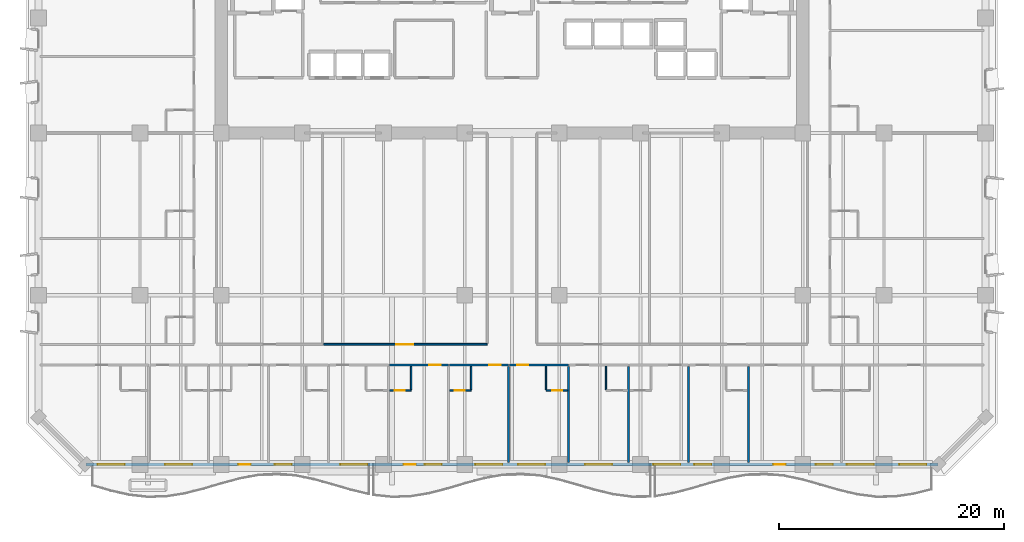
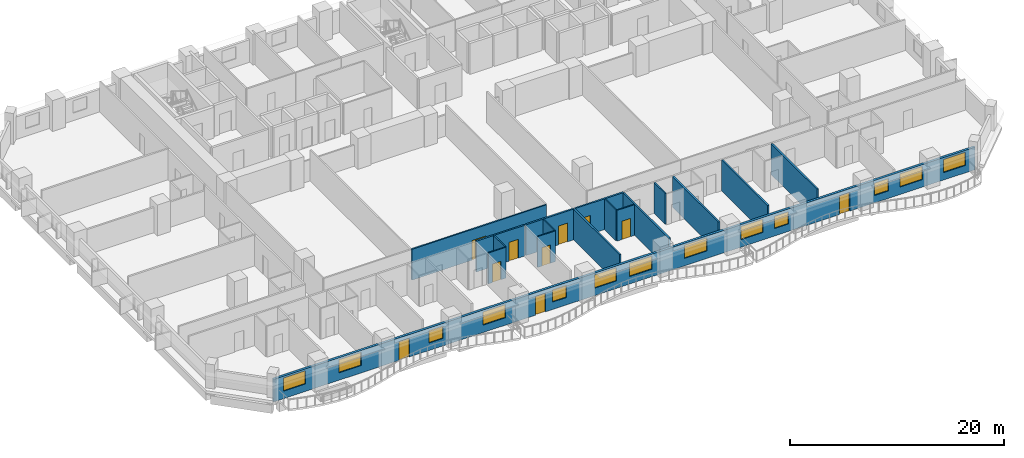
# One storey, part 6 of 16: 17 walls, 13 windows, 10 doors, 23 openings.
"""IFC4 building model written with IfcOpenShell, lengths in metres."""

from ifc_helpers import new_model, si_unit, direction, frame, frame_2d, origin, place, context, subcontext, project, spatial, rectangle, extrude, material, layer, layer_set, type_object, element, fill, save


model = new_model("IFC4")

# Units and contexts
model_context = context("Model", 3, precision=1e-05, world=origin(), true_north=direction((0.0, 1.0)))
body_context = subcontext(model_context, "Body", "Model", "MODEL_VIEW")
ifc_project = project(units=[si_unit("LENGTHUNIT", "METRE"), si_unit("AREAUNIT", "SQUARE_METRE"), si_unit("VOLUMEUNIT", "CUBIC_METRE"), si_unit("PLANEANGLEUNIT", "RADIAN"), si_unit("MASSUNIT", "GRAM", prefix="KILO")], contexts=[model_context])

# Site, building, storey
site_placement = place(None, origin())
site = spatial("IfcSite", under=ifc_project, at=site_placement, CompositionType="ELEMENT")
building_placement = place(site_placement, origin())
building = spatial("IfcBuilding", under=site, at=building_placement, Name="Kaelvorn Grand Hotel", CompositionType="ELEMENT")
storey_placement = place(building_placement, frame((0.0, 0.0, 35.14990234375)))
storey = spatial("IfcBuildingStorey", under=building, at=storey_placement, Name="L06", CompositionType="ELEMENT", Elevation=35.14990234375)

# Wall, openings, doors, windows
ifc_material_1 = material(Name="Concrete C40/50", Category="concrete")
ifc_layer_1 = layer(ifc_material_1, 0.260009765625)
ifc_layer_set_1 = layer_set([ifc_layer_1], Name="Concrete C40/50")
wall_type_1 = type_object("IfcWallType", Name="WL-EXT-260-C40", PredefinedType="SOLIDWALL", material=ifc_layer_set_1)
wall_1_placement = place(storey_placement, frame((4.199951171875, 0.0, 0.0), z_axis=(0.0, 0.0, 1.0), x_axis=(1.0, 0.0, 0.0)))
wall_1 = element("IfcWall", 1, at=wall_1_placement, inside=storey, type_object=wall_type_1, Name="L06 Exterior Architectural Concrete Wall 01", PredefinedType="SOLIDWALL", context=body_context, shape_type="SweptSolid", body=[
    extrude(rectangle(XDim=75.60009765625, YDim=0.260009765625, at=frame_2d((37.800048828125, 0.0))), origin(), (0.0, 0.0, 1.0), 2.56005859375),
])
opening_1_placement = place(wall_1_placement, frame((13.5166015625, 0.0, 0.0)))
opening_1 = element("IfcOpeningElement", 2, at=opening_1_placement, cuts=wall_1, Name="Opening DE2", PredefinedType="OPENING", context=body_context, shape_type="SweptSolid", body=[
    extrude(rectangle(XDim=1.10009765625, YDim=2.14990234375, at=frame_2d((0.550048828125, 1.074951171875))), frame((0.0, 0.14013671875, 0.0), z_axis=(0.0, -1.0, 0.0), x_axis=(1.0, 0.0, 0.0)), (0.0, 0.0, 1.0), 0.280029296875),
])
opening_2_placement = place(wall_1_placement, frame((28.183349609375, 0.0, 0.0)))
opening_2 = element("IfcOpeningElement", 3, at=opening_2_placement, cuts=wall_1, Name="Opening DE2", PredefinedType="OPENING", context=body_context, shape_type="SweptSolid", body=[
    extrude(rectangle(XDim=1.10009765625, YDim=2.14990234375, at=frame_2d((0.550048828125, 1.074951171875))), frame((0.0, 0.14013671875, 0.0), z_axis=(0.0, -1.0, 0.0), x_axis=(1.0, 0.0, 0.0)), (0.0, 0.0, 1.0), 0.280029296875),
])
opening_3_placement = place(wall_1_placement, frame((60.9833984375, 0.0, 0.0)))
opening_3 = element("IfcOpeningElement", 4, at=opening_3_placement, cuts=wall_1, Name="Opening DE2", PredefinedType="OPENING", context=body_context, shape_type="SweptSolid", body=[
    extrude(rectangle(XDim=1.10009765625, YDim=2.14990234375, at=frame_2d((0.550048828125, 1.074951171875))), frame((0.0, 0.14013671875, 0.0), z_axis=(0.0, -1.0, 0.0), x_axis=(1.0, 0.0, 0.0)), (0.0, 0.0, 1.0), 0.280029296875),
])
opening_4_placement = place(wall_1_placement, frame((1.034912109375, 0.0, 0.85009765625)))
opening_4 = element("IfcOpeningElement", 5, at=opening_4_placement, cuts=wall_1, Name="Opening W6", PredefinedType="OPENING", context=body_context, shape_type="SweptSolid", body=[
    extrude(rectangle(XDim=2.39990234375, YDim=1.5, at=frame_2d((1.199951171875, 0.75))), frame((0.0, 0.14013671875, 0.0), z_axis=(0.0, -1.0, 0.0), x_axis=(1.0, 0.0, 0.0)), (0.0, 0.0, 1.0), 0.280029296875),
])
opening_5_placement = place(wall_1_placement, frame((7.031494140625, 0.0, 0.85009765625)))
opening_5 = element("IfcOpeningElement", 6, at=opening_5_placement, cuts=wall_1, Name="Opening W6", PredefinedType="OPENING", context=body_context, shape_type="SweptSolid", body=[
    extrude(rectangle(XDim=2.39990234375, YDim=1.5, at=frame_2d((1.199951171875, 0.75))), frame((0.0, 0.14013671875, 0.0), z_axis=(0.0, -1.0, 0.0), x_axis=(1.0, 0.0, 0.0)), (0.0, 0.0, 1.0), 0.280029296875),
])
opening_6_placement = place(wall_1_placement, frame((16.757080078125, 0.0, 0.85009765625)))
opening_6 = element("IfcOpeningElement", 7, at=opening_6_placement, cuts=wall_1, Name="Opening W10", PredefinedType="OPENING", context=body_context, shape_type="SweptSolid", body=[
    extrude(rectangle(XDim=1.5, YDim=1.39990234375, at=frame_2d((0.75, 0.699951171875))), frame((0.0, 0.14013671875, 0.0), z_axis=(0.0, -1.0, 0.0), x_axis=(1.0, 0.0, 0.0)), (0.0, 0.0, 1.0), 0.280029296875),
])
opening_7_placement = place(wall_1_placement, frame((22.5673828125, 0.0, 0.85009765625)))
opening_7 = element("IfcOpeningElement", 8, at=opening_7_placement, cuts=wall_1, Name="Opening W6", PredefinedType="OPENING", context=body_context, shape_type="SweptSolid", body=[
    extrude(rectangle(XDim=2.39990234375, YDim=1.5, at=frame_2d((1.199951171875, 0.75))), frame((0.0, 0.14013671875, 0.0), z_axis=(0.0, -1.0, 0.0), x_axis=(1.0, 0.0, 0.0)), (0.0, 0.0, 1.0), 0.280029296875),
])
opening_8_placement = place(wall_1_placement, frame((30.065185546875, 0.0, 0.85009765625)))
opening_8 = element("IfcOpeningElement", 9, at=opening_8_placement, cuts=wall_1, Name="Opening W10", PredefinedType="OPENING", context=body_context, shape_type="SweptSolid", body=[
    extrude(rectangle(XDim=1.5, YDim=1.39990234375, at=frame_2d((0.75, 0.699951171875))), frame((0.0, 0.14013671875, 0.0), z_axis=(0.0, -1.0, 0.0), x_axis=(1.0, 0.0, 0.0)), (0.0, 0.0, 1.0), 0.280029296875),
])
opening_9_placement = place(wall_1_placement, frame((34.549560546875, 0.0, 0.85009765625)))
opening_9 = element("IfcOpeningElement", 10, at=opening_9_placement, cuts=wall_1, Name="Opening W6", PredefinedType="OPENING", context=body_context, shape_type="SweptSolid", body=[
    extrude(rectangle(XDim=2.39990234375, YDim=1.5, at=frame_2d((1.199951171875, 0.75))), frame((0.0, 0.14013671875, 0.0), z_axis=(0.0, -1.0, 0.0), x_axis=(1.0, 0.0, 0.0)), (0.0, 0.0, 1.0), 0.280029296875),
])
opening_10_placement = place(wall_1_placement, frame((38.349609375, 0.0, 0.85009765625)))
opening_10 = element("IfcOpeningElement", 11, at=opening_10_placement, cuts=wall_1, Name="Opening W6", PredefinedType="OPENING", context=body_context, shape_type="SweptSolid", body=[
    extrude(rectangle(XDim=2.39990234375, YDim=1.5, at=frame_2d((1.199951171875, 0.75))), frame((0.0, 0.14013671875, 0.0), z_axis=(0.0, -1.0, 0.0), x_axis=(1.0, 0.0, 0.0)), (0.0, 0.0, 1.0), 0.280029296875),
])
opening_11_placement = place(wall_1_placement, frame((44.280517578125, 0.0, 0.85009765625)))
opening_11 = element("IfcOpeningElement", 12, at=opening_11_placement, cuts=wall_1, Name="Opening W6", PredefinedType="OPENING", context=body_context, shape_type="SweptSolid", body=[
    extrude(rectangle(XDim=2.39990234375, YDim=1.5, at=frame_2d((1.199951171875, 0.75))), frame((0.0, 0.14013671875, 0.0), z_axis=(0.0, -1.0, 0.0), x_axis=(1.0, 0.0, 0.0)), (0.0, 0.0, 1.0), 0.280029296875),
])
opening_12_placement = place(wall_1_placement, frame((50.33154296875, 0.0, 0.85009765625)))
opening_12 = element("IfcOpeningElement", 13, at=opening_12_placement, cuts=wall_1, Name="Opening W6", PredefinedType="OPENING", context=body_context, shape_type="SweptSolid", body=[
    extrude(rectangle(XDim=2.39990234375, YDim=1.5, at=frame_2d((1.199951171875, 0.75))), frame((0.0, 0.14013671875, 0.0), z_axis=(0.0, -1.0, 0.0), x_axis=(1.0, 0.0, 0.0)), (0.0, 0.0, 1.0), 0.280029296875),
])
opening_13_placement = place(wall_1_placement, frame((53.9814453125, 0.0, 0.85009765625)))
opening_13 = element("IfcOpeningElement", 14, at=opening_13_placement, cuts=wall_1, Name="Opening W10", PredefinedType="OPENING", context=body_context, shape_type="SweptSolid", body=[
    extrude(rectangle(XDim=1.5, YDim=1.39990234375, at=frame_2d((0.75, 0.699951171875))), frame((0.0, 0.14013671875, 0.0), z_axis=(0.0, -1.0, 0.0), x_axis=(1.0, 0.0, 0.0)), (0.0, 0.0, 1.0), 0.280029296875),
])
opening_14_placement = place(wall_1_placement, frame((64.758544921875, 0.0, 0.85009765625)))
opening_14 = element("IfcOpeningElement", 15, at=opening_14_placement, cuts=wall_1, Name="Opening W10", PredefinedType="OPENING", context=body_context, shape_type="SweptSolid", body=[
    extrude(rectangle(XDim=1.5, YDim=1.39990234375, at=frame_2d((0.75, 0.699951171875))), frame((0.0, 0.14013671875, 0.0), z_axis=(0.0, -1.0, 0.0), x_axis=(1.0, 0.0, 0.0)), (0.0, 0.0, 1.0), 0.280029296875),
])
opening_15_placement = place(wall_1_placement, frame((67.508544921875, 0.0, 0.85009765625)))
opening_15 = element("IfcOpeningElement", 16, at=opening_15_placement, cuts=wall_1, Name="Opening W6", PredefinedType="OPENING", context=body_context, shape_type="SweptSolid", body=[
    extrude(rectangle(XDim=2.39990234375, YDim=1.5, at=frame_2d((1.199951171875, 0.75))), frame((0.0, 0.14013671875, 0.0), z_axis=(0.0, -1.0, 0.0), x_axis=(1.0, 0.0, 0.0)), (0.0, 0.0, 1.0), 0.280029296875),
])
opening_16_placement = place(wall_1_placement, frame((72.1650390625, 0.0, 0.85009765625)))
opening_16 = element("IfcOpeningElement", 17, at=opening_16_placement, cuts=wall_1, Name="Opening W6", PredefinedType="OPENING", context=body_context, shape_type="SweptSolid", body=[
    extrude(rectangle(XDim=2.39990234375, YDim=1.5, at=frame_2d((1.199951171875, 0.75))), frame((0.0, 0.14013671875, 0.0), z_axis=(0.0, -1.0, 0.0), x_axis=(1.0, 0.0, 0.0)), (0.0, 0.0, 1.0), 0.280029296875),
])
ifc_material_2 = material(Name="Anodised Aluminium", Category="aluminium")
door_type_1 = type_object("IfcDoorType", Name="DR-EXT-BALC-1100x2150", OperationType="NOTDEFINED", PredefinedType="DOOR", material=ifc_material_2)
door_1_placement = place(opening_1_placement, origin())
door_1 = element("IfcDoor", 18, at=door_1_placement, inside=storey, type_object=door_type_1, Name="L06 Scalloped Balcony Glazed Door DE2-1", OperationType="SINGLE_SWING_LEFT", OverallHeight=2.14990234375, OverallWidth=1.10009765625, PredefinedType="DOOR", context=body_context, shape_type="SweptSolid", body=[
    extrude(rectangle(XDim=1.10009765625, YDim=2.14990234375, at=frame_2d((0.550048828125, 1.074951171875))), frame((0.0, 0.02490234375, 0.0), z_axis=(0.0, -1.0, 0.0), x_axis=(1.0, 0.0, 0.0)), (0.0, 0.0, 1.0), 0.050048828125),
])
fill(opening_1, door_1)
door_2_placement = place(opening_2_placement, origin())
door_2 = element("IfcDoor", 19, at=door_2_placement, inside=storey, type_object=door_type_1, Name="L06 Scalloped Balcony Glazed Door DE2-2", OperationType="SINGLE_SWING_RIGHT", OverallHeight=2.14990234375, OverallWidth=1.10009765625, PredefinedType="DOOR", context=body_context, shape_type="SweptSolid", body=[
    extrude(rectangle(XDim=1.10009765625, YDim=2.14990234375, at=frame_2d((0.550048828125, 1.074951171875))), frame((0.0, 0.02490234375, 0.0), z_axis=(0.0, -1.0, 0.0), x_axis=(1.0, 0.0, 0.0)), (0.0, 0.0, 1.0), 0.050048828125),
])
fill(opening_2, door_2)
door_3_placement = place(opening_3_placement, origin())
door_3 = element("IfcDoor", 20, at=door_3_placement, inside=storey, type_object=door_type_1, Name="L06 Scalloped Balcony Glazed Door DE2-3", OperationType="SINGLE_SWING_LEFT", OverallHeight=2.14990234375, OverallWidth=1.10009765625, PredefinedType="DOOR", context=body_context, shape_type="SweptSolid", body=[
    extrude(rectangle(XDim=1.10009765625, YDim=2.14990234375, at=frame_2d((0.550048828125, 1.074951171875))), frame((0.0, 0.02490234375, 0.0), z_axis=(0.0, -1.0, 0.0), x_axis=(1.0, 0.0, 0.0)), (0.0, 0.0, 1.0), 0.050048828125),
])
fill(opening_3, door_3)
ifc_material_3 = material(Name="Laminated Low-E Glass", Category="glass")
window_type_1 = type_object("IfcWindowType", Name="WIN-COR-1500x1400", PartitioningType="SINGLE_PANEL", PredefinedType="WINDOW", material=ifc_material_3)
window_1_placement = place(opening_6_placement, origin())
window_1 = element("IfcWindow", 21, at=window_1_placement, inside=storey, type_object=window_type_1, Name="L06 South Guestroom Ribbon Window SR03", OverallHeight=1.39990234375, OverallWidth=1.5, PartitioningType="SINGLE_PANEL", PredefinedType="WINDOW", context=body_context, shape_type="SweptSolid", body=[
    extrude(rectangle(XDim=1.5, YDim=1.39990234375, at=frame_2d((0.75, 0.699951171875))), frame((0.0, 0.030029296875, 0.0), z_axis=(0.0, -1.0, 0.0), x_axis=(1.0, 0.0, 0.0)), (0.0, 0.0, 1.0), 0.06005859375),
])
fill(opening_6, window_1)
window_2_placement = place(opening_8_placement, origin())
window_2 = element("IfcWindow", 22, at=window_2_placement, inside=storey, type_object=window_type_1, Name="L06 South Guestroom Ribbon Window SR05", OverallHeight=1.39990234375, OverallWidth=1.5, PartitioningType="SINGLE_PANEL", PredefinedType="WINDOW", context=body_context, shape_type="SweptSolid", body=[
    extrude(rectangle(XDim=1.5, YDim=1.39990234375, at=frame_2d((0.75, 0.699951171875))), frame((0.0, 0.030029296875, 0.0), z_axis=(0.0, -1.0, 0.0), x_axis=(1.0, 0.0, 0.0)), (0.0, 0.0, 1.0), 0.06005859375),
])
fill(opening_8, window_2)
window_3_placement = place(opening_13_placement, origin())
window_3 = element("IfcWindow", 23, at=window_3_placement, inside=storey, type_object=window_type_1, Name="L06 South Guestroom Ribbon Window SR10", OverallHeight=1.39990234375, OverallWidth=1.5, PartitioningType="SINGLE_PANEL", PredefinedType="WINDOW", context=body_context, shape_type="SweptSolid", body=[
    extrude(rectangle(XDim=1.5, YDim=1.39990234375, at=frame_2d((0.75, 0.699951171875))), frame((0.0, 0.030029296875, 0.0), z_axis=(0.0, -1.0, 0.0), x_axis=(1.0, 0.0, 0.0)), (0.0, 0.0, 1.0), 0.06005859375),
])
fill(opening_13, window_3)
window_4_placement = place(opening_14_placement, origin())
window_4 = element("IfcWindow", 24, at=window_4_placement, inside=storey, type_object=window_type_1, Name="L06 South Guestroom Ribbon Window SR11", OverallHeight=1.39990234375, OverallWidth=1.5, PartitioningType="SINGLE_PANEL", PredefinedType="WINDOW", context=body_context, shape_type="SweptSolid", body=[
    extrude(rectangle(XDim=1.5, YDim=1.39990234375, at=frame_2d((0.75, 0.699951171875))), frame((0.0, 0.030029296875, 0.0), z_axis=(0.0, -1.0, 0.0), x_axis=(1.0, 0.0, 0.0)), (0.0, 0.0, 1.0), 0.06005859375),
])
fill(opening_14, window_4)
window_type_2 = type_object("IfcWindowType", Name="WIN-NTH-2400x1500", PartitioningType="SINGLE_PANEL", PredefinedType="WINDOW", material=ifc_material_3)
window_5_placement = place(opening_4_placement, origin())
window_5 = element("IfcWindow", 25, at=window_5_placement, inside=storey, type_object=window_type_2, Name="L06 South Guestroom Ribbon Window SR01", OverallHeight=1.5, OverallWidth=2.39990234375, PartitioningType="SINGLE_PANEL", PredefinedType="WINDOW", context=body_context, shape_type="SweptSolid", body=[
    extrude(rectangle(XDim=2.39990234375, YDim=1.5, at=frame_2d((1.199951171875, 0.75))), frame((0.0, 0.030029296875, 0.0), z_axis=(0.0, -1.0, 0.0), x_axis=(1.0, 0.0, 0.0)), (0.0, 0.0, 1.0), 0.06005859375),
])
fill(opening_4, window_5)
window_6_placement = place(opening_5_placement, origin())
window_6 = element("IfcWindow", 26, at=window_6_placement, inside=storey, type_object=window_type_2, Name="L06 South Guestroom Ribbon Window SR02", OverallHeight=1.5, OverallWidth=2.39990234375, PartitioningType="SINGLE_PANEL", PredefinedType="WINDOW", context=body_context, shape_type="SweptSolid", body=[
    extrude(rectangle(XDim=2.39990234375, YDim=1.5, at=frame_2d((1.199951171875, 0.75))), frame((0.0, 0.030029296875, 0.0), z_axis=(0.0, -1.0, 0.0), x_axis=(1.0, 0.0, 0.0)), (0.0, 0.0, 1.0), 0.06005859375),
])
fill(opening_5, window_6)
window_7_placement = place(opening_7_placement, origin())
window_7 = element("IfcWindow", 27, at=window_7_placement, inside=storey, type_object=window_type_2, Name="L06 South Guestroom Ribbon Window SR04", OverallHeight=1.5, OverallWidth=2.39990234375, PartitioningType="SINGLE_PANEL", PredefinedType="WINDOW", context=body_context, shape_type="SweptSolid", body=[
    extrude(rectangle(XDim=2.39990234375, YDim=1.5, at=frame_2d((1.199951171875, 0.75))), frame((0.0, 0.030029296875, 0.0), z_axis=(0.0, -1.0, 0.0), x_axis=(1.0, 0.0, 0.0)), (0.0, 0.0, 1.0), 0.06005859375),
])
fill(opening_7, window_7)
window_8_placement = place(opening_9_placement, origin())
window_8 = element("IfcWindow", 28, at=window_8_placement, inside=storey, type_object=window_type_2, Name="L06 South Guestroom Ribbon Window SR06", OverallHeight=1.5, OverallWidth=2.39990234375, PartitioningType="SINGLE_PANEL", PredefinedType="WINDOW", context=body_context, shape_type="SweptSolid", body=[
    extrude(rectangle(XDim=2.39990234375, YDim=1.5, at=frame_2d((1.199951171875, 0.75))), frame((0.0, 0.030029296875, 0.0), z_axis=(0.0, -1.0, 0.0), x_axis=(1.0, 0.0, 0.0)), (0.0, 0.0, 1.0), 0.06005859375),
])
fill(opening_9, window_8)
window_9_placement = place(opening_10_placement, origin())
window_9 = element("IfcWindow", 29, at=window_9_placement, inside=storey, type_object=window_type_2, Name="L06 South Guestroom Ribbon Window SR07", OverallHeight=1.5, OverallWidth=2.39990234375, PartitioningType="SINGLE_PANEL", PredefinedType="WINDOW", context=body_context, shape_type="SweptSolid", body=[
    extrude(rectangle(XDim=2.39990234375, YDim=1.5, at=frame_2d((1.199951171875, 0.75))), frame((0.0, 0.030029296875, 0.0), z_axis=(0.0, -1.0, 0.0), x_axis=(1.0, 0.0, 0.0)), (0.0, 0.0, 1.0), 0.06005859375),
])
fill(opening_10, window_9)
window_10_placement = place(opening_11_placement, origin())
window_10 = element("IfcWindow", 30, at=window_10_placement, inside=storey, type_object=window_type_2, Name="L06 South Guestroom Ribbon Window SR08", OverallHeight=1.5, OverallWidth=2.39990234375, PartitioningType="SINGLE_PANEL", PredefinedType="WINDOW", context=body_context, shape_type="SweptSolid", body=[
    extrude(rectangle(XDim=2.39990234375, YDim=1.5, at=frame_2d((1.199951171875, 0.75))), frame((0.0, 0.030029296875, 0.0), z_axis=(0.0, -1.0, 0.0), x_axis=(1.0, 0.0, 0.0)), (0.0, 0.0, 1.0), 0.06005859375),
])
fill(opening_11, window_10)
window_11_placement = place(opening_12_placement, origin())
window_11 = element("IfcWindow", 31, at=window_11_placement, inside=storey, type_object=window_type_2, Name="L06 South Guestroom Ribbon Window SR09", OverallHeight=1.5, OverallWidth=2.39990234375, PartitioningType="SINGLE_PANEL", PredefinedType="WINDOW", context=body_context, shape_type="SweptSolid", body=[
    extrude(rectangle(XDim=2.39990234375, YDim=1.5, at=frame_2d((1.199951171875, 0.75))), frame((0.0, 0.030029296875, 0.0), z_axis=(0.0, -1.0, 0.0), x_axis=(1.0, 0.0, 0.0)), (0.0, 0.0, 1.0), 0.06005859375),
])
fill(opening_12, window_11)
window_12_placement = place(opening_15_placement, origin())
window_12 = element("IfcWindow", 32, at=window_12_placement, inside=storey, type_object=window_type_2, Name="L06 South Guestroom Ribbon Window SR12", OverallHeight=1.5, OverallWidth=2.39990234375, PartitioningType="SINGLE_PANEL", PredefinedType="WINDOW", context=body_context, shape_type="SweptSolid", body=[
    extrude(rectangle(XDim=2.39990234375, YDim=1.5, at=frame_2d((1.199951171875, 0.75))), frame((0.0, 0.030029296875, 0.0), z_axis=(0.0, -1.0, 0.0), x_axis=(1.0, 0.0, 0.0)), (0.0, 0.0, 1.0), 0.06005859375),
])
fill(opening_15, window_12)
window_13_placement = place(opening_16_placement, origin())
window_13 = element("IfcWindow", 33, at=window_13_placement, inside=storey, type_object=window_type_2, Name="L06 South Guestroom Ribbon Window SR13", OverallHeight=1.5, OverallWidth=2.39990234375, PartitioningType="SINGLE_PANEL", PredefinedType="WINDOW", context=body_context, shape_type="SweptSolid", body=[
    extrude(rectangle(XDim=2.39990234375, YDim=1.5, at=frame_2d((1.199951171875, 0.75))), frame((0.0, 0.030029296875, 0.0), z_axis=(0.0, -1.0, 0.0), x_axis=(1.0, 0.0, 0.0)), (0.0, 0.0, 1.0), 0.06005859375),
])
fill(opening_16, window_13)

# Wall, opening, door
ifc_material_4 = material(Name="Moisture-Resistant Tile & Stud Board")
ifc_layer_2 = layer(ifc_material_4, 0.125)
ifc_layer_set_2 = layer_set([ifc_layer_2], Name="Moisture-Resistant Tile & Stud Board")
wall_type_2 = type_object("IfcWallType", Name="WL-PART-125-WET", PredefinedType="PARTITIONING", material=ifc_layer_set_2)
wall_2_placement = place(storey_placement, frame((31.1513671875, 6.550048828125, 0.0), z_axis=(0.0, 0.0, 1.0), x_axis=(1.0, 0.0, 0.0)))
wall_2 = element("IfcWall", 34, at=wall_2_placement, inside=storey, type_object=wall_type_2, Name="L06 En-suite Bathroom L06-06 S Partition", PredefinedType="PARTITIONING", context=body_context, shape_type="SweptSolid", body=[
    extrude(rectangle(XDim=1.905029296875, YDim=0.125, at=frame_2d((0.95263671875, 0.0))), origin(), (0.0, 0.0, 1.0), 3.510009765625),
])
opening_17_placement = place(wall_2_placement, frame((0.455078125, 0.0, 0.0)))
opening_17 = element("IfcOpeningElement", 35, at=opening_17_placement, cuts=wall_2, Name="Opening DI4", PredefinedType="OPENING", context=body_context, shape_type="SweptSolid", body=[
    extrude(rectangle(XDim=0.89990234375, YDim=2.10009765625, at=frame_2d((0.449951171875, 1.050048828125))), frame((0.0, 0.072509765625, 0.0), z_axis=(0.0, -1.0, 0.0), x_axis=(1.0, 0.0, 0.0)), (0.0, 0.0, 1.0), 0.14501953125),
])
ifc_material_5 = material(Name="Timber Veneer Leaf", Category="wood")
door_type_2 = type_object("IfcDoorType", Name="DR-INT-BATH-900x2100", OperationType="NOTDEFINED", PredefinedType="DOOR", material=ifc_material_5)
door_4_placement = place(opening_17_placement, origin())
door_4 = element("IfcDoor", 36, at=door_4_placement, inside=storey, type_object=door_type_2, Name="L06 En-suite Bathroom L06-06 Door", OperationType="SINGLE_SWING_LEFT", OverallHeight=2.10009765625, OverallWidth=0.89990234375, PredefinedType="DOOR", context=body_context, shape_type="SweptSolid", body=[
    extrude(rectangle(XDim=0.89990234375, YDim=2.10009765625, at=frame_2d((0.449951171875, 1.050048828125))), frame((0.0, 0.02490234375, 0.0), z_axis=(0.0, -1.0, 0.0), x_axis=(1.0, 0.0, 0.0)), (0.0, 0.0, 1.0), 0.050048828125),
])
fill(opening_17, door_4)

# Wall
wall_3_placement = place(storey_placement, frame((33.056396484375, 6.617431640625, 0.0), z_axis=(0.0, 0.0, 1.0), x_axis=(0.0, 1.0, 0.0)))
element("IfcWall", 37, at=wall_3_placement, inside=storey, type_object=wall_type_2, Name="L06 En-suite Bathroom L06-06 E Partition", PredefinedType="PARTITIONING", context=body_context, shape_type="SweptSolid", body=[
    extrude(rectangle(XDim=2.087646484375, YDim=0.125, at=frame_2d((1.0439453125, 0.0))), origin(), (0.0, 0.0, 1.0), 3.510009765625),
])

# Wall, opening, door
wall_4_placement = place(storey_placement, frame((36.472412109375, 6.550048828125, 0.0), z_axis=(0.0, 0.0, 1.0), x_axis=(1.0, 0.0, 0.0)))
wall_4 = element("IfcWall", 38, at=wall_4_placement, inside=storey, type_object=wall_type_2, Name="L06 En-suite Bathroom L06-07 S Partition", PredefinedType="PARTITIONING", context=body_context, shape_type="SweptSolid", body=[
    extrude(rectangle(XDim=1.905029296875, YDim=0.125, at=frame_2d((0.95263671875, 0.0))), origin(), (0.0, 0.0, 1.0), 3.510009765625),
])
opening_18_placement = place(wall_4_placement, frame((0.455078125, 0.0, 0.0)))
opening_18 = element("IfcOpeningElement", 39, at=opening_18_placement, cuts=wall_4, Name="Opening DI4", PredefinedType="OPENING", context=body_context, shape_type="SweptSolid", body=[
    extrude(rectangle(XDim=0.89990234375, YDim=2.10009765625, at=frame_2d((0.449951171875, 1.050048828125))), frame((0.0, 0.072509765625, 0.0), z_axis=(0.0, -1.0, 0.0), x_axis=(1.0, 0.0, 0.0)), (0.0, 0.0, 1.0), 0.14501953125),
])
door_5_placement = place(opening_18_placement, origin())
door_5 = element("IfcDoor", 40, at=door_5_placement, inside=storey, type_object=door_type_2, Name="L06 En-suite Bathroom L06-07 Door", OperationType="SINGLE_SWING_LEFT", OverallHeight=2.10009765625, OverallWidth=0.89990234375, PredefinedType="DOOR", context=body_context, shape_type="SweptSolid", body=[
    extrude(rectangle(XDim=0.89990234375, YDim=2.10009765625, at=frame_2d((0.449951171875, 1.050048828125))), frame((0.0, 0.02490234375, 0.0), z_axis=(0.0, -1.0, 0.0), x_axis=(1.0, 0.0, 0.0)), (0.0, 0.0, 1.0), 0.050048828125),
])
fill(opening_18, door_5)

# Wall
wall_5_placement = place(storey_placement, frame((38.37744140625, 6.617431640625, 0.0), z_axis=(0.0, 0.0, 1.0), x_axis=(0.0, 1.0, 0.0)))
element("IfcWall", 41, at=wall_5_placement, inside=storey, type_object=wall_type_2, Name="L06 En-suite Bathroom L06-07 E Partition", PredefinedType="PARTITIONING", context=body_context, shape_type="SweptSolid", body=[
    extrude(rectangle(XDim=2.087646484375, YDim=0.125, at=frame_2d((1.0439453125, 0.0))), origin(), (0.0, 0.0, 1.0), 3.510009765625),
])

# Wall, opening, door
wall_6_placement = place(storey_placement, frame((45.02001953125, 6.550048828125, 0.0), z_axis=(0.0, 0.0, 1.0), x_axis=(1.0, 0.0, 0.0)))
wall_6 = element("IfcWall", 42, at=wall_6_placement, inside=storey, type_object=wall_type_2, Name="L06 En-suite Bathroom L06-08 S Partition", PredefinedType="PARTITIONING", context=body_context, shape_type="SweptSolid", body=[
    extrude(rectangle(XDim=1.905029296875, YDim=0.125, at=frame_2d((0.95263671875, 0.0))), origin(), (0.0, 0.0, 1.0), 3.510009765625),
])
opening_19_placement = place(wall_6_placement, frame((0.550048828125, 0.0, 0.0)))
opening_19 = element("IfcOpeningElement", 43, at=opening_19_placement, cuts=wall_6, Name="Opening DI4", PredefinedType="OPENING", context=body_context, shape_type="SweptSolid", body=[
    extrude(rectangle(XDim=0.89990234375, YDim=2.10009765625, at=frame_2d((0.449951171875, 1.050048828125))), frame((0.0, 0.072509765625, 0.0), z_axis=(0.0, -1.0, 0.0), x_axis=(1.0, 0.0, 0.0)), (0.0, 0.0, 1.0), 0.14501953125),
])
door_6_placement = place(opening_19_placement, origin())
door_6 = element("IfcDoor", 44, at=door_6_placement, inside=storey, type_object=door_type_2, Name="L06 En-suite Bathroom L06-08 Door", OperationType="SINGLE_SWING_LEFT", OverallHeight=2.10009765625, OverallWidth=0.89990234375, PredefinedType="DOOR", context=body_context, shape_type="SweptSolid", body=[
    extrude(rectangle(XDim=0.89990234375, YDim=2.10009765625, at=frame_2d((0.449951171875, 1.050048828125))), frame((0.0, 0.02490234375, 0.0), z_axis=(0.0, -1.0, 0.0), x_axis=(1.0, 0.0, 0.0)), (0.0, 0.0, 1.0), 0.050048828125),
])
fill(opening_19, door_6)

# Walls
for number, where, z_axis, x_axis, name in (
    (45, (45.02001953125, 6.617431640625, 0.0), (0.0, 0.0, 1.0), (0.0, 1.0, 0.0), "L06 En-suite Bathroom L06-08 W Partition"),
    (46, (50.34130859375, 6.617431640625, 0.0), (0.0, 0.0, 1.0), (0.0, 1.0, 0.0), "L06 En-suite Bathroom L06-09 W Partition"),
):
    element("IfcWall", number, at=place(storey_placement, frame(where, z_axis=z_axis, x_axis=x_axis)), inside=storey, type_object=wall_type_2, Name=name, PredefinedType="PARTITIONING", context=body_context, shape_type="SweptSolid", body=[
        extrude(rectangle(XDim=2.087646484375, YDim=0.125, at=frame_2d((1.0439453125, 0.0))), origin(), (0.0, 0.0, 1.0), 3.510009765625),
    ])

# Wall, opening, door
ifc_material_6 = material(Name="Acoustic Gypsum & Stud Partition")
ifc_layer_3 = layer(ifc_material_6, 0.14990234375)
ifc_layer_set_3 = layer_set([ifc_layer_3], Name="Acoustic Gypsum & Stud Partition")
wall_type_3 = type_object("IfcWallType", Name="WL-PART-150-EI60", PredefinedType="PARTITIONING", material=ifc_layer_set_3)
wall_7_placement = place(storey_placement, frame((25.280029296875, 10.64990234375, 0.0), z_axis=(0.0, 0.0, 1.0), x_axis=(1.0, 0.0, 0.0)))
wall_7 = element("IfcWall", 47, at=wall_7_placement, inside=storey, type_object=wall_type_3, Name="L06 Guest Butler Kitchen S Partition", PredefinedType="PARTITIONING", context=body_context, shape_type="SweptSolid", body=[
    extrude(rectangle(XDim=14.52001953125, YDim=0.14990234375, at=frame_2d((7.260009765625, 0.0))), origin(), (0.0, 0.0, 1.0), 3.510009765625),
])
opening_20_placement = place(wall_7_placement, frame((6.469970703125, 0.0, 0.0)))
opening_20 = element("IfcOpeningElement", 48, at=opening_20_placement, cuts=wall_7, Name="Opening DI5", PredefinedType="OPENING", context=body_context, shape_type="SweptSolid", body=[
    extrude(rectangle(XDim=1.5, YDim=2.25, at=frame_2d((0.75, 1.125))), frame((0.0, 0.0849609375, 0.0), z_axis=(0.0, -1.0, 0.0), x_axis=(1.0, 0.0, 0.0)), (0.0, 0.0, 1.0), 0.169921875),
])
ifc_material_7 = material(Name="Timber Veneer Fire Leaf", Category="wood")
door_type_3 = type_object("IfcDoorType", Name="DR-INT-SALON-1500x2250", OperationType="DOUBLE_DOOR_SINGLE_SWING", PredefinedType="DOOR", material=ifc_material_7)
door_7_placement = place(opening_20_placement, origin())
door_7 = element("IfcDoor", 49, at=door_7_placement, inside=storey, type_object=door_type_3, Name="L06 Guest Butler Kitchen Door", OperationType="DOUBLE_DOOR_SINGLE_SWING", OverallHeight=2.25, OverallWidth=1.5, PredefinedType="DOOR", context=body_context, shape_type="SweptSolid", body=[
    extrude(rectangle(XDim=1.5, YDim=2.25, at=frame_2d((0.75, 1.125))), frame((0.0, 0.02490234375, 0.0), z_axis=(0.0, -1.0, 0.0), x_axis=(1.0, 0.0, 0.0)), (0.0, 0.0, 1.0), 0.050048828125),
])
fill(opening_20, door_7)

ifc_layer_4 = layer(ifc_material_6, 0.179931640625)
ifc_layer_set_4 = layer_set([ifc_layer_4], Name="Acoustic Gypsum & Stud Partition")
wall_type_4 = type_object("IfcWallType", Name="WL-PART-180-EI60", PredefinedType="PARTITIONING", material=ifc_layer_set_4)
wall_8_placement = place(storey_placement, frame((31.1513671875, 8.800048828125, 0.0), z_axis=(0.0, 0.0, 1.0), x_axis=(1.0, 0.0, 0.0)))
wall_8 = element("IfcWall", 50, at=wall_8_placement, inside=storey, type_object=wall_type_4, Name="L06 Deluxe King Guest Room L06-06 N Partition", PredefinedType="PARTITIONING", context=body_context, shape_type="SweptSolid", body=[
    extrude(rectangle(XDim=5.22607421875, YDim=0.179931640625, at=frame_2d((2.613037109375, 0.0))), origin(), (0.0, 0.0, 1.0), 3.510009765625),
])
opening_21_placement = place(wall_8_placement, frame((3.515625, 0.0, 0.0)))
opening_21 = element("IfcOpeningElement", 51, at=opening_21_placement, cuts=wall_8, Name="Opening DI3", PredefinedType="OPENING", context=body_context, shape_type="SweptSolid", body=[
    extrude(rectangle(XDim=1.0, YDim=2.14990234375, at=frame_2d((0.5, 1.074951171875))), frame((0.0, 0.10009765625, 0.0), z_axis=(0.0, -1.0, 0.0), x_axis=(1.0, 0.0, 0.0)), (0.0, 0.0, 1.0), 0.199951171875),
])
door_type_4 = type_object("IfcDoorType", Name="DR-INT-GUEST-1000x2150", OperationType="NOTDEFINED", PredefinedType="DOOR", material=ifc_material_7)
door_8_placement = place(opening_21_placement, origin())
door_8 = element("IfcDoor", 52, at=door_8_placement, inside=storey, type_object=door_type_4, Name="L06 Deluxe King Guest Room L06-06 Door", OperationType="SINGLE_SWING_RIGHT", OverallHeight=2.14990234375, OverallWidth=1.0, PredefinedType="DOOR", context=body_context, shape_type="SweptSolid", body=[
    extrude(rectangle(XDim=1.0, YDim=2.14990234375, at=frame_2d((0.5, 1.074951171875))), frame((0.0, 0.02490234375, 0.0), z_axis=(0.0, -1.0, 0.0), x_axis=(1.0, 0.0, 0.0)), (0.0, 0.0, 1.0), 0.050048828125),
])
fill(opening_21, door_8)

wall_9_placement = place(storey_placement, frame((36.472412109375, 8.800048828125, 0.0), z_axis=(0.0, 0.0, 1.0), x_axis=(1.0, 0.0, 0.0)))
wall_9 = element("IfcWall", 53, at=wall_9_placement, inside=storey, type_object=wall_type_4, Name="L06 Deluxe King Guest Room L06-07 N Partition", PredefinedType="PARTITIONING", context=body_context, shape_type="SweptSolid", body=[
    extrude(rectangle(XDim=5.226318359375, YDim=0.179931640625, at=frame_2d((2.61328125, 0.0))), origin(), (0.0, 0.0, 1.0), 3.510009765625),
])
opening_22_placement = place(wall_9_placement, frame((3.515625, 0.0, 0.0)))
opening_22 = element("IfcOpeningElement", 54, at=opening_22_placement, cuts=wall_9, Name="Opening DI3", PredefinedType="OPENING", context=body_context, shape_type="SweptSolid", body=[
    extrude(rectangle(XDim=1.0, YDim=2.14990234375, at=frame_2d((0.5, 1.074951171875))), frame((0.0, 0.10009765625, 0.0), z_axis=(0.0, -1.0, 0.0), x_axis=(1.0, 0.0, 0.0)), (0.0, 0.0, 1.0), 0.199951171875),
])
door_9_placement = place(opening_22_placement, origin())
door_9 = element("IfcDoor", 55, at=door_9_placement, inside=storey, type_object=door_type_4, Name="L06 Deluxe King Guest Room L06-07 Door", OperationType="SINGLE_SWING_RIGHT", OverallHeight=2.14990234375, OverallWidth=1.0, PredefinedType="DOOR", context=body_context, shape_type="SweptSolid", body=[
    extrude(rectangle(XDim=1.0, YDim=2.14990234375, at=frame_2d((0.5, 1.074951171875))), frame((0.0, 0.02490234375, 0.0), z_axis=(0.0, -1.0, 0.0), x_axis=(1.0, 0.0, 0.0)), (0.0, 0.0, 1.0), 0.050048828125),
])
fill(opening_22, door_9)

# Wall
wall_10_placement = place(storey_placement, frame((41.69873046875, 0.14990234375, 0.0), z_axis=(0.0, 0.0, 1.0), x_axis=(0.0, 1.0, 0.0)))
element("IfcWall", 56, at=wall_10_placement, inside=storey, type_object=wall_type_4, Name="L06 Deluxe King Guest Room L06-07 E Partition", PredefinedType="PARTITIONING", context=body_context, shape_type="SweptSolid", body=[
    extrude(rectangle(XDim=8.55517578125, YDim=0.179931640625, at=frame_2d((4.277587890625, 0.0))), origin(), (0.0, 0.0, 1.0), 3.510009765625),
])

# Wall, opening, door
wall_11_placement = place(storey_placement, frame((41.793701171875, 8.800048828125, 0.0), z_axis=(0.0, 0.0, 1.0), x_axis=(1.0, 0.0, 0.0)))
wall_11 = element("IfcWall", 57, at=wall_11_placement, inside=storey, type_object=wall_type_4, Name="L06 Deluxe King Guest Room L06-08 N Partition", PredefinedType="PARTITIONING", context=body_context, shape_type="SweptSolid", body=[
    extrude(rectangle(XDim=5.226318359375, YDim=0.179931640625, at=frame_2d((2.61328125, 0.0))), origin(), (0.0, 0.0, 1.0), 3.510009765625),
])
opening_23_placement = place(wall_11_placement, frame((0.64990234375, 0.0, 0.0)))
opening_23 = element("IfcOpeningElement", 58, at=opening_23_placement, cuts=wall_11, Name="Opening DI3", PredefinedType="OPENING", context=body_context, shape_type="SweptSolid", body=[
    extrude(rectangle(XDim=1.0, YDim=2.14990234375, at=frame_2d((0.5, 1.074951171875))), frame((0.0, 0.10009765625, 0.0), z_axis=(0.0, -1.0, 0.0), x_axis=(1.0, 0.0, 0.0)), (0.0, 0.0, 1.0), 0.199951171875),
])
door_10_placement = place(opening_23_placement, origin())
door_10 = element("IfcDoor", 59, at=door_10_placement, inside=storey, type_object=door_type_4, Name="L06 Deluxe King Guest Room L06-08 Door", OperationType="SINGLE_SWING_RIGHT", OverallHeight=2.14990234375, OverallWidth=1.0, PredefinedType="DOOR", context=body_context, shape_type="SweptSolid", body=[
    extrude(rectangle(XDim=1.0, YDim=2.14990234375, at=frame_2d((0.5, 1.074951171875))), frame((0.0, 0.02490234375, 0.0), z_axis=(0.0, -1.0, 0.0), x_axis=(1.0, 0.0, 0.0)), (0.0, 0.0, 1.0), 0.050048828125),
])
fill(opening_23, door_10)

# Walls
for number, where, z_axis, x_axis, name in (
    (60, (47.02001953125, 0.14990234375, 0.0), (0.0, 0.0, 1.0), (0.0, 1.0, 0.0), "L06 Deluxe King Guest Room L06-08 E Partition"),
    (61, (52.34130859375, 0.14990234375, 0.0), (0.0, 0.0, 1.0), (0.0, 1.0, 0.0), "L06 Deluxe King Guest Room L06-09 E Partition"),
    (62, (57.66259765625, 0.14990234375, 0.0), (0.0, 0.0, 1.0), (0.0, 1.0, 0.0), "L06 Deluxe King Guest Room L06-10 E Partition"),
    (63, (62.98388671875, 0.14990234375, 0.0), (0.0, 0.0, 1.0), (0.0, 1.0, 0.0), "L06 Deluxe King Guest Room L06-11 E Partition"),
):
    element("IfcWall", number, at=place(storey_placement, frame(where, z_axis=z_axis, x_axis=x_axis)), inside=storey, type_object=wall_type_4, Name=name, PredefinedType="PARTITIONING", context=body_context, shape_type="SweptSolid", body=[
        extrude(rectangle(XDim=8.55517578125, YDim=0.179931640625, at=frame_2d((4.277587890625, 0.0))), origin(), (0.0, 0.0, 1.0), 3.510009765625),
    ])

save(model, "model.ifc")
